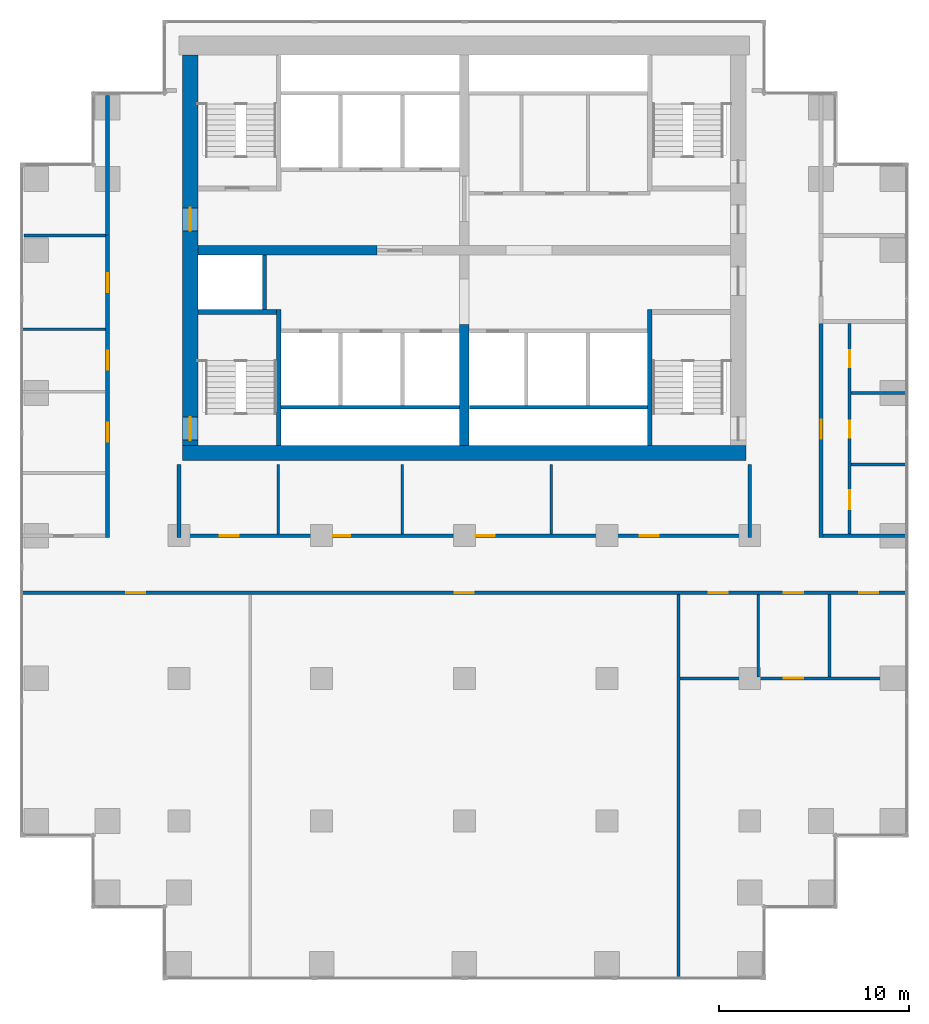
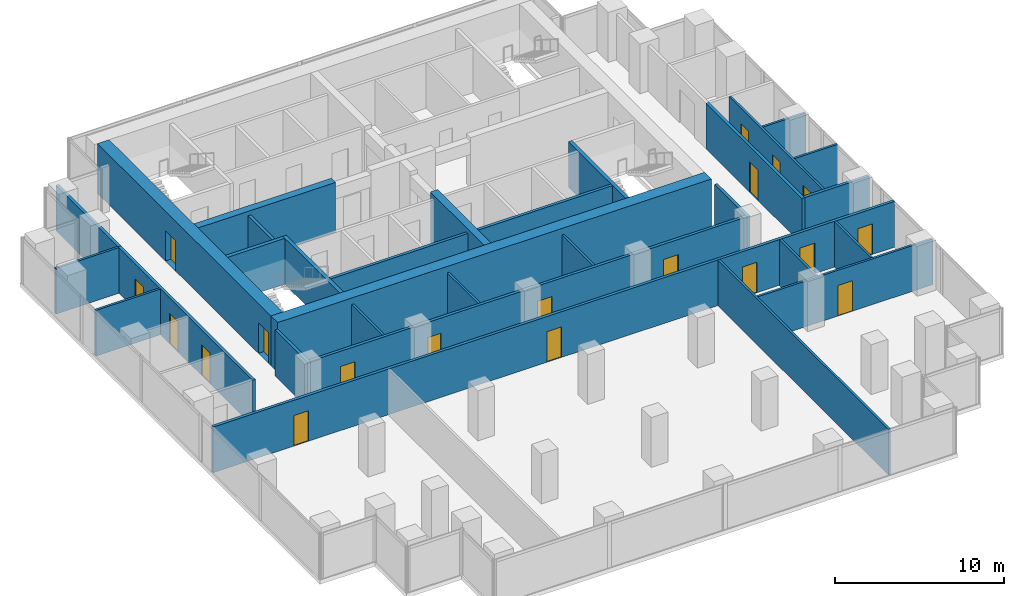
# One storey, part 7 of 10: 30 walls, 19 doors, 19 openings.
"""IFC4 building model written with IfcOpenShell, lengths in metres."""

from ifc_helpers import new_model, si_unit, direction, frame, frame_2d, origin, place, context, subcontext, project, spatial, rectangle, extrude, material, layer, layer_set, type_object, element, fill, save


model = new_model("IFC4")

# Units and contexts
model_context = context("Model", 3, precision=1e-05, world=origin(), true_north=direction((0.0, 1.0)))
body_context = subcontext(model_context, "Body", "Model", "MODEL_VIEW")
ifc_project = project(units=[si_unit("LENGTHUNIT", "METRE"), si_unit("AREAUNIT", "SQUARE_METRE"), si_unit("VOLUMEUNIT", "CUBIC_METRE"), si_unit("PLANEANGLEUNIT", "RADIAN"), si_unit("MASSUNIT", "GRAM", prefix="KILO")], contexts=[model_context])

# Site, building, storey
site_placement = place(None, origin())
site = spatial("IfcSite", under=ifc_project, at=site_placement, CompositionType="ELEMENT")
building_placement = place(site_placement, origin())
building = spatial("IfcBuilding", under=site, at=building_placement, Name="Pilkhan Gate Tower", CompositionType="ELEMENT")
storey_placement = place(building_placement, frame((0.0, 0.0, 114.39990234375)))
storey = spatial("IfcBuildingStorey", under=building, at=storey_placement, Name="L28", CompositionType="ELEMENT", Elevation=114.39990234375)

# Wall
ifc_material_1 = material(Name="Concrete C60/75", Category="concrete")
ifc_layer_1 = layer(ifc_material_1, 0.800048828125)
ifc_layer_set_1 = layer_set([ifc_layer_1], Name="Core wall CW800 C60/75")
wall_type_1 = type_object("IfcWallType", Name="Core wall CW800 C60/75", PredefinedType="SHEAR", material=ifc_layer_set_1)
wall_1_placement = place(storey_placement, frame((60.199951171875, 71.85009765625, 0.0), z_axis=(0.0, 0.0, 1.0), x_axis=(1.0, 0.0, 0.0)))
element("IfcWall", 1, at=wall_1_placement, inside=storey, type_object=wall_type_1, Name="Core wall S L28", PredefinedType="SHEAR", context=body_context, shape_type="SweptSolid", body=[
    extrude(rectangle(XDim=29.60009765625, YDim=0.800048828125, at=frame_2d((14.800048828125, 0.0))), origin(), (0.0, 0.0, 1.0), 3.60009765625),
])

# Wall, openings, doors
wall_2_placement = place(storey_placement, frame((60.60009765625, 92.75, 0.0), z_axis=(0.0, 0.0, 1.0), x_axis=(0.0, -1.0, 0.0)))
wall_2 = element("IfcWall", 2, at=wall_2_placement, inside=storey, type_object=wall_type_1, Name="Core wall W L28", PredefinedType="SHEAR", context=body_context, shape_type="SweptSolid", body=[
    extrude(rectangle(XDim=20.5, YDim=0.800048828125, at=frame_2d((10.25, 0.0))), origin(), (0.0, 0.0, 1.0), 3.60009765625),
])
opening_1_placement = place(wall_2_placement, frame((19.02490234375, 0.0, 0.0)))
opening_1 = element("IfcOpeningElement", 3, at=opening_1_placement, cuts=wall_2, Name="Opening L28-04", PredefinedType="OPENING", context=body_context, shape_type="SweptSolid", body=[
    extrude(rectangle(XDim=1.199951171875, YDim=2.199951171875, at=frame_2d((0.60009765625, 1.10009765625))), frame((0.0, 0.409912109375, 0.0), z_axis=(0.0, -1.0, 0.0), x_axis=(1.0, 0.0, 0.0)), (0.0, 0.0, 1.0), 0.820068359375),
])
opening_2_placement = place(wall_2_placement, frame((8.02490234375, 0.0, 0.0)))
opening_2 = element("IfcOpeningElement", 4, at=opening_2_placement, cuts=wall_2, Name="Opening L28-09", PredefinedType="OPENING", context=body_context, shape_type="SweptSolid", body=[
    extrude(rectangle(XDim=1.199951171875, YDim=2.199951171875, at=frame_2d((0.60009765625, 1.10009765625))), frame((0.0, 0.409912109375, 0.0), z_axis=(0.0, -1.0, 0.0), x_axis=(1.0, 0.0, 0.0)), (0.0, 0.0, 1.0), 0.820068359375),
])
ifc_material_2 = material(Name="Steel door, 120 minute fire resisting, self-closing", Category="steel")
door_type_1 = type_object("IfcDoorType", Name="Firefighting lobby door D10 1200x2200", OperationType="SINGLE_SWING_LEFT", PredefinedType="DOOR", material=ifc_material_2)
door_1_placement = place(opening_2_placement, origin())
door_1 = element("IfcDoor", 5, at=door_1_placement, inside=storey, type_object=door_type_1, Name="Core door", OperationType="SINGLE_SWING_RIGHT", OverallHeight=2.199951171875, OverallWidth=1.199951171875, PredefinedType="DOOR", context=body_context, shape_type="SweptSolid", body=[
    extrude(rectangle(XDim=1.199951171875, YDim=2.199951171875, at=frame_2d((0.60009765625, 1.10009765625))), frame((0.0, 0.02490234375, 0.0), z_axis=(0.0, -1.0, 0.0), x_axis=(1.0, 0.0, 0.0)), (0.0, 0.0, 1.0), 0.050048828125),
])
fill(opening_2, door_1)
ifc_material_3 = material(Name="Steel door, 120 minute fire resisting, panic bar", Category="steel")
door_type_2 = type_object("IfcDoorType", Name="Stair door D11 1200x2200", OperationType="SINGLE_SWING_LEFT", PredefinedType="DOOR", material=ifc_material_3)
door_2_placement = place(opening_1_placement, origin())
door_2 = element("IfcDoor", 6, at=door_2_placement, inside=storey, type_object=door_type_2, Name="Stair ST2 door", OperationType="SINGLE_SWING_LEFT", OverallHeight=2.199951171875, OverallWidth=1.199951171875, PredefinedType="DOOR", context=body_context, shape_type="SweptSolid", body=[
    extrude(rectangle(XDim=1.199951171875, YDim=2.199951171875, at=frame_2d((0.60009765625, 1.10009765625))), frame((0.0, 0.02490234375, 0.0), z_axis=(0.0, -1.0, 0.0), x_axis=(1.0, 0.0, 0.0)), (0.0, 0.0, 1.0), 0.050048828125),
])
fill(opening_1, door_2)

ifc_material_4 = material(Name="Dense blockwork", Category="masonry")
ifc_layer_2 = layer(ifc_material_4, 0.199951171875)
ifc_layer_set_2 = layer_set([ifc_layer_2], Name="Corridor wall FW200")
wall_type_2 = type_object("IfcWallType", Name="Corridor wall FW200", PredefinedType="PARTITIONING", material=ifc_layer_set_2)
wall_3_placement = place(storey_placement, frame((51.735107421875, 64.5, 0.0), z_axis=(0.0, 0.0, 1.0), x_axis=(1.0, 0.0, 0.0)))
wall_3 = element("IfcWall", 7, at=wall_3_placement, inside=storey, type_object=wall_type_2, Name="Partition L28", PredefinedType="PARTITIONING", context=body_context, shape_type="SweptSolid", body=[
    extrude(rectangle(XDim=46.52978515625, YDim=0.199951171875, at=frame_2d((23.264892578125, 0.0))), origin(), (0.0, 0.0, 1.0), 3.300048828125),
])
opening_3_placement = place(wall_3_placement, frame((40.06494140625, 0.0, 0.0)))
opening_3 = element("IfcOpeningElement", 8, at=opening_3_placement, cuts=wall_3, Name="Opening L28-06", PredefinedType="OPENING", context=body_context, shape_type="SweptSolid", body=[
    extrude(rectangle(XDim=1.0, YDim=2.199951171875, at=frame_2d((0.5, 1.10009765625))), frame((0.0, 0.10986328125, 0.0), z_axis=(0.0, -1.0, 0.0), x_axis=(1.0, 0.0, 0.0)), (0.0, 0.0, 1.0), 0.219970703125),
])
opening_4_placement = place(wall_3_placement, frame((5.5, 0.0, 0.0)))
opening_4 = element("IfcOpeningElement", 9, at=opening_4_placement, cuts=wall_3, Name="Opening L28-14", PredefinedType="OPENING", context=body_context, shape_type="SweptSolid", body=[
    extrude(rectangle(XDim=1.0, YDim=2.199951171875, at=frame_2d((0.5, 1.10009765625))), frame((0.0, 0.10986328125, 0.0), z_axis=(0.0, -1.0, 0.0), x_axis=(1.0, 0.0, 0.0)), (0.0, 0.0, 1.0), 0.219970703125),
])
opening_5_placement = place(wall_3_placement, frame((22.764892578125, 0.0, 0.0)))
opening_5 = element("IfcOpeningElement", 10, at=opening_5_placement, cuts=wall_3, Name="Opening L28-15", PredefinedType="OPENING", context=body_context, shape_type="SweptSolid", body=[
    extrude(rectangle(XDim=1.0, YDim=2.199951171875, at=frame_2d((0.5, 1.10009765625))), frame((0.0, 0.10986328125, 0.0), z_axis=(0.0, -1.0, 0.0), x_axis=(1.0, 0.0, 0.0)), (0.0, 0.0, 1.0), 0.219970703125),
])
opening_6_placement = place(wall_3_placement, frame((36.114990234375, 0.0, 0.0)))
opening_6 = element("IfcOpeningElement", 11, at=opening_6_placement, cuts=wall_3, Name="Opening L28-16", PredefinedType="OPENING", context=body_context, shape_type="SweptSolid", body=[
    extrude(rectangle(XDim=1.0, YDim=2.199951171875, at=frame_2d((0.5, 1.10009765625))), frame((0.0, 0.10986328125, 0.0), z_axis=(0.0, -1.0, 0.0), x_axis=(1.0, 0.0, 0.0)), (0.0, 0.0, 1.0), 0.219970703125),
])
opening_7_placement = place(wall_3_placement, frame((44.014892578125, 0.0, 0.0)))
opening_7 = element("IfcOpeningElement", 12, at=opening_7_placement, cuts=wall_3, Name="Opening L28-17", PredefinedType="OPENING", context=body_context, shape_type="SweptSolid", body=[
    extrude(rectangle(XDim=1.0, YDim=2.199951171875, at=frame_2d((0.5, 1.10009765625))), frame((0.0, 0.10986328125, 0.0), z_axis=(0.0, -1.0, 0.0), x_axis=(1.0, 0.0, 0.0)), (0.0, 0.0, 1.0), 0.219970703125),
])
ifc_material_5 = material(Name="Timber flush door, 30 minute fire resisting", Category="wood")
door_type_3 = type_object("IfcDoorType", Name="Room door D03 1000x2200", OperationType="SINGLE_SWING_LEFT", PredefinedType="DOOR", material=ifc_material_5)
door_3_placement = place(opening_3_placement, origin())
door_3 = element("IfcDoor", 13, at=door_3_placement, inside=storey, type_object=door_type_3, Name="Room door", OperationType="SINGLE_SWING_LEFT", OverallHeight=2.199951171875, OverallWidth=1.0, PredefinedType="DOOR", context=body_context, shape_type="SweptSolid", body=[
    extrude(rectangle(XDim=1.0, YDim=2.199951171875, at=frame_2d((0.5, 1.10009765625))), frame((0.0, 0.02490234375, 0.0), z_axis=(0.0, -1.0, 0.0), x_axis=(1.0, 0.0, 0.0)), (0.0, 0.0, 1.0), 0.050048828125),
])
fill(opening_3, door_3)
door_4_placement = place(opening_4_placement, origin())
door_4 = element("IfcDoor", 14, at=door_4_placement, inside=storey, type_object=door_type_3, Name="Room door", OperationType="SINGLE_SWING_LEFT", OverallHeight=2.199951171875, OverallWidth=1.0, PredefinedType="DOOR", context=body_context, shape_type="SweptSolid", body=[
    extrude(rectangle(XDim=1.0, YDim=2.199951171875, at=frame_2d((0.5, 1.10009765625))), frame((0.0, 0.02490234375, 0.0), z_axis=(0.0, -1.0, 0.0), x_axis=(1.0, 0.0, 0.0)), (0.0, 0.0, 1.0), 0.050048828125),
])
fill(opening_4, door_4)
door_5_placement = place(opening_5_placement, origin())
door_5 = element("IfcDoor", 15, at=door_5_placement, inside=storey, type_object=door_type_3, Name="Room door", OperationType="SINGLE_SWING_LEFT", OverallHeight=2.199951171875, OverallWidth=1.0, PredefinedType="DOOR", context=body_context, shape_type="SweptSolid", body=[
    extrude(rectangle(XDim=1.0, YDim=2.199951171875, at=frame_2d((0.5, 1.10009765625))), frame((0.0, 0.02490234375, 0.0), z_axis=(0.0, -1.0, 0.0), x_axis=(1.0, 0.0, 0.0)), (0.0, 0.0, 1.0), 0.050048828125),
])
fill(opening_5, door_5)
door_6_placement = place(opening_6_placement, origin())
door_6 = element("IfcDoor", 16, at=door_6_placement, inside=storey, type_object=door_type_3, Name="Room door", OperationType="SINGLE_SWING_RIGHT", OverallHeight=2.199951171875, OverallWidth=1.0, PredefinedType="DOOR", context=body_context, shape_type="SweptSolid", body=[
    extrude(rectangle(XDim=1.0, YDim=2.199951171875, at=frame_2d((0.5, 1.10009765625))), frame((0.0, 0.02490234375, 0.0), z_axis=(0.0, -1.0, 0.0), x_axis=(1.0, 0.0, 0.0)), (0.0, 0.0, 1.0), 0.050048828125),
])
fill(opening_6, door_6)
door_7_placement = place(opening_7_placement, origin())
door_7 = element("IfcDoor", 17, at=door_7_placement, inside=storey, type_object=door_type_3, Name="Room door", OperationType="SINGLE_SWING_RIGHT", OverallHeight=2.199951171875, OverallWidth=1.0, PredefinedType="DOOR", context=body_context, shape_type="SweptSolid", body=[
    extrude(rectangle(XDim=1.0, YDim=2.199951171875, at=frame_2d((0.5, 1.10009765625))), frame((0.0, 0.02490234375, 0.0), z_axis=(0.0, -1.0, 0.0), x_axis=(1.0, 0.0, 0.0)), (0.0, 0.0, 1.0), 0.050048828125),
])
fill(opening_7, door_7)

wall_4_placement = place(storey_placement, frame((60.10009765625, 67.5, 0.0), z_axis=(0.0, 0.0, 1.0), x_axis=(1.0, 0.0, 0.0)))
wall_4 = element("IfcWall", 18, at=wall_4_placement, inside=storey, type_object=wall_type_2, Name="Partition L28", PredefinedType="PARTITIONING", context=body_context, shape_type="SweptSolid", body=[
    extrude(rectangle(XDim=29.7998046875, YDim=0.199951171875, at=frame_2d((14.89990234375, 0.0))), origin(), (0.0, 0.0, 1.0), 3.300048828125),
])
opening_8_placement = place(wall_4_placement, frame((2.050048828125, 0.0, 0.0)))
opening_8 = element("IfcOpeningElement", 19, at=opening_8_placement, cuts=wall_4, Name="Opening L28-27", PredefinedType="OPENING", context=body_context, shape_type="SweptSolid", body=[
    extrude(rectangle(XDim=1.0, YDim=2.199951171875, at=frame_2d((0.5, 1.10009765625))), frame((0.0, 0.10986328125, 0.0), z_axis=(0.0, -1.0, 0.0), x_axis=(1.0, 0.0, 0.0)), (0.0, 0.0, 1.0), 0.219970703125),
])
opening_9_placement = place(wall_4_placement, frame((8.01708984375, 0.0, 0.0)))
opening_9 = element("IfcOpeningElement", 20, at=opening_9_placement, cuts=wall_4, Name="Opening L28-28", PredefinedType="OPENING", context=body_context, shape_type="SweptSolid", body=[
    extrude(rectangle(XDim=0.89990234375, YDim=2.199951171875, at=frame_2d((0.449951171875, 1.10009765625))), frame((0.0, 0.10986328125, 0.0), z_axis=(0.0, -1.0, 0.0), x_axis=(1.0, 0.0, 0.0)), (0.0, 0.0, 1.0), 0.219970703125),
])
opening_10_placement = place(wall_4_placement, frame((15.489013671875, 0.0, 0.0)))
opening_10 = element("IfcOpeningElement", 21, at=opening_10_placement, cuts=wall_4, Name="Opening L28-29", PredefinedType="OPENING", context=body_context, shape_type="SweptSolid", body=[
    extrude(rectangle(XDim=1.0, YDim=2.199951171875, at=frame_2d((0.5, 1.10009765625))), frame((0.0, 0.10986328125, 0.0), z_axis=(0.0, -1.0, 0.0), x_axis=(1.0, 0.0, 0.0)), (0.0, 0.0, 1.0), 0.219970703125),
])
opening_11_placement = place(wall_4_placement, frame((24.114990234375, 0.0, 0.0)))
opening_11 = element("IfcOpeningElement", 22, at=opening_11_placement, cuts=wall_4, Name="Opening L28-30", PredefinedType="OPENING", context=body_context, shape_type="SweptSolid", body=[
    extrude(rectangle(XDim=1.0, YDim=2.199951171875, at=frame_2d((0.5, 1.10009765625))), frame((0.0, 0.10986328125, 0.0), z_axis=(0.0, -1.0, 0.0), x_axis=(1.0, 0.0, 0.0)), (0.0, 0.0, 1.0), 0.219970703125),
])
door_8_placement = place(opening_8_placement, origin())
door_8 = element("IfcDoor", 23, at=door_8_placement, inside=storey, type_object=door_type_3, Name="Room door", OperationType="SINGLE_SWING_LEFT", OverallHeight=2.199951171875, OverallWidth=1.0, PredefinedType="DOOR", context=body_context, shape_type="SweptSolid", body=[
    extrude(rectangle(XDim=1.0, YDim=2.199951171875, at=frame_2d((0.5, 1.10009765625))), frame((0.0, 0.02490234375, 0.0), z_axis=(0.0, -1.0, 0.0), x_axis=(1.0, 0.0, 0.0)), (0.0, 0.0, 1.0), 0.050048828125),
])
fill(opening_8, door_8)
door_9_placement = place(opening_10_placement, origin())
door_9 = element("IfcDoor", 24, at=door_9_placement, inside=storey, type_object=door_type_3, Name="Room door", OperationType="SINGLE_SWING_LEFT", OverallHeight=2.199951171875, OverallWidth=1.0, PredefinedType="DOOR", context=body_context, shape_type="SweptSolid", body=[
    extrude(rectangle(XDim=1.0, YDim=2.199951171875, at=frame_2d((0.5, 1.10009765625))), frame((0.0, 0.02490234375, 0.0), z_axis=(0.0, -1.0, 0.0), x_axis=(1.0, 0.0, 0.0)), (0.0, 0.0, 1.0), 0.050048828125),
])
fill(opening_10, door_9)
door_10_placement = place(opening_11_placement, origin())
door_10 = element("IfcDoor", 25, at=door_10_placement, inside=storey, type_object=door_type_3, Name="Room door", OperationType="SINGLE_SWING_LEFT", OverallHeight=2.199951171875, OverallWidth=1.0, PredefinedType="DOOR", context=body_context, shape_type="SweptSolid", body=[
    extrude(rectangle(XDim=1.0, YDim=2.199951171875, at=frame_2d((0.5, 1.10009765625))), frame((0.0, 0.02490234375, 0.0), z_axis=(0.0, -1.0, 0.0), x_axis=(1.0, 0.0, 0.0)), (0.0, 0.0, 1.0), 0.050048828125),
])
fill(opening_11, door_10)
ifc_material_6 = material(Name="Timber flush door, 60 minute fire resisting, self-closing", Category="wood")
door_type_4 = type_object("IfcDoorType", Name="Store door D05 900x2200", OperationType="SINGLE_SWING_LEFT", PredefinedType="DOOR", material=ifc_material_6)
door_11_placement = place(opening_9_placement, origin())
door_11 = element("IfcDoor", 26, at=door_11_placement, inside=storey, type_object=door_type_4, Name="Store door", OperationType="SINGLE_SWING_RIGHT", OverallHeight=2.199951171875, OverallWidth=0.89990234375, PredefinedType="DOOR", context=body_context, shape_type="SweptSolid", body=[
    extrude(rectangle(XDim=0.89990234375, YDim=2.199951171875, at=frame_2d((0.449951171875, 1.10009765625))), frame((0.0, 0.02490234375, 0.0), z_axis=(0.0, -1.0, 0.0), x_axis=(1.0, 0.0, 0.0)), (0.0, 0.0, 1.0), 0.050048828125),
])
fill(opening_9, door_11)

# Wall
wall_5_placement = place(storey_placement, frame((93.85009765625, 67.5, 0.0), z_axis=(0.0, 0.0, 1.0), x_axis=(1.0, 0.0, 0.0)))
element("IfcWall", 27, at=wall_5_placement, inside=storey, type_object=wall_type_2, Name="Partition L28", PredefinedType="PARTITIONING", context=body_context, shape_type="SweptSolid", body=[
    extrude(rectangle(XDim=4.414794921875, YDim=0.199951171875, at=frame_2d((2.20751953125, 0.0))), origin(), (0.0, 0.0, 1.0), 3.300048828125),
])

# Wall, openings, doors
wall_6_placement = place(storey_placement, frame((56.25, 67.39990234375, 0.0), z_axis=(0.0, 0.0, 1.0), x_axis=(0.0, 1.0, 0.0)))
wall_6 = element("IfcWall", 28, at=wall_6_placement, inside=storey, type_object=wall_type_2, Name="Partition L28", PredefinedType="PARTITIONING", context=body_context, shape_type="SweptSolid", body=[
    extrude(rectangle(XDim=15.955078125, YDim=0.199951171875, at=frame_2d((7.9775390625, 0.0))), origin(), (0.0, 0.0, 1.0), 3.300048828125),
])
opening_12_placement = place(wall_6_placement, frame((5.0380859375, 0.0, 0.0)))
opening_12 = element("IfcOpeningElement", 29, at=opening_12_placement, cuts=wall_6, Name="Opening L28-20", PredefinedType="OPENING", context=body_context, shape_type="SweptSolid", body=[
    extrude(rectangle(XDim=1.0, YDim=2.199951171875, at=frame_2d((0.5, 1.10009765625))), frame((0.0, 0.10986328125, 0.0), z_axis=(0.0, -1.0, 0.0), x_axis=(1.0, 0.0, 0.0)), (0.0, 0.0, 1.0), 0.219970703125),
])
opening_13_placement = place(wall_6_placement, frame((8.81103515625, 0.0, 0.0)))
opening_13 = element("IfcOpeningElement", 30, at=opening_13_placement, cuts=wall_6, Name="Opening L28-21", PredefinedType="OPENING", context=body_context, shape_type="SweptSolid", body=[
    extrude(rectangle(XDim=1.0, YDim=2.199951171875, at=frame_2d((0.5, 1.10009765625))), frame((0.0, 0.10986328125, 0.0), z_axis=(0.0, -1.0, 0.0), x_axis=(1.0, 0.0, 0.0)), (0.0, 0.0, 1.0), 0.219970703125),
])
opening_14_placement = place(wall_6_placement, frame((12.89892578125, 0.0, 0.0)))
opening_14 = element("IfcOpeningElement", 31, at=opening_14_placement, cuts=wall_6, Name="Opening L28-22", PredefinedType="OPENING", context=body_context, shape_type="SweptSolid", body=[
    extrude(rectangle(XDim=1.0, YDim=2.199951171875, at=frame_2d((0.5, 1.10009765625))), frame((0.0, 0.10986328125, 0.0), z_axis=(0.0, -1.0, 0.0), x_axis=(1.0, 0.0, 0.0)), (0.0, 0.0, 1.0), 0.219970703125),
])
door_12_placement = place(opening_12_placement, origin())
door_12 = element("IfcDoor", 32, at=door_12_placement, inside=storey, type_object=door_type_3, Name="Room door", OperationType="SINGLE_SWING_LEFT", OverallHeight=2.199951171875, OverallWidth=1.0, PredefinedType="DOOR", context=body_context, shape_type="SweptSolid", body=[
    extrude(rectangle(XDim=1.0, YDim=2.199951171875, at=frame_2d((0.5, 1.10009765625))), frame((0.0, 0.02490234375, 0.0), z_axis=(0.0, -1.0, 0.0), x_axis=(1.0, 0.0, 0.0)), (0.0, 0.0, 1.0), 0.050048828125),
])
fill(opening_12, door_12)
door_13_placement = place(opening_13_placement, origin())
door_13 = element("IfcDoor", 33, at=door_13_placement, inside=storey, type_object=door_type_3, Name="Room door", OperationType="SINGLE_SWING_RIGHT", OverallHeight=2.199951171875, OverallWidth=1.0, PredefinedType="DOOR", context=body_context, shape_type="SweptSolid", body=[
    extrude(rectangle(XDim=1.0, YDim=2.199951171875, at=frame_2d((0.5, 1.10009765625))), frame((0.0, 0.02490234375, 0.0), z_axis=(0.0, -1.0, 0.0), x_axis=(1.0, 0.0, 0.0)), (0.0, 0.0, 1.0), 0.050048828125),
])
fill(opening_13, door_13)
door_14_placement = place(opening_14_placement, origin())
door_14 = element("IfcDoor", 34, at=door_14_placement, inside=storey, type_object=door_type_3, Name="Room door", OperationType="SINGLE_SWING_RIGHT", OverallHeight=2.199951171875, OverallWidth=1.0, PredefinedType="DOOR", context=body_context, shape_type="SweptSolid", body=[
    extrude(rectangle(XDim=1.0, YDim=2.199951171875, at=frame_2d((0.5, 1.10009765625))), frame((0.0, 0.02490234375, 0.0), z_axis=(0.0, -1.0, 0.0), x_axis=(1.0, 0.0, 0.0)), (0.0, 0.0, 1.0), 0.050048828125),
])
fill(opening_14, door_14)

# Walls
wall_7_placement = place(storey_placement, frame((56.25, 83.31005859375, 0.0), z_axis=(0.0, 0.0, 1.0), x_axis=(0.0, 1.0, 0.0)))
element("IfcWall", 35, at=wall_7_placement, inside=storey, type_object=wall_type_2, Name="Partition L28", PredefinedType="PARTITIONING", context=body_context, shape_type="SweptSolid", body=[
    extrude(rectangle(XDim=7.3349609375, YDim=0.199951171875, at=frame_2d((3.66748046875, 0.0))), origin(), (0.0, 0.0, 1.0), 3.300048828125),
])
for number, where, z_axis, x_axis, name in (
    (36, (60.0, 67.39990234375, 0.0), (0.0, 0.0, 1.0), (0.0, 1.0, 0.0), "Partition L28"),
    (37, (90.0, 67.39990234375, 0.0), (0.0, 0.0, 1.0), (0.0, 1.0, 0.0), "Partition L28"),
):
    element("IfcWall", number, at=place(storey_placement, frame(where, z_axis=z_axis, x_axis=x_axis)), inside=storey, type_object=wall_type_2, Name=name, PredefinedType="PARTITIONING", context=body_context, shape_type="SweptSolid", body=[
        extrude(rectangle(XDim=3.85009765625, YDim=0.199951171875, at=frame_2d((1.925048828125, 0.0))), origin(), (0.0, 0.0, 1.0), 3.300048828125),
    ])

# Wall, opening, door
wall_8_placement = place(storey_placement, frame((93.75, 67.39990234375, 0.0), z_axis=(0.0, 0.0, 1.0), x_axis=(0.0, 1.0, 0.0)))
wall_8 = element("IfcWall", 38, at=wall_8_placement, inside=storey, type_object=wall_type_2, Name="Partition L28", PredefinedType="PARTITIONING", context=body_context, shape_type="SweptSolid", body=[
    extrude(rectangle(XDim=11.35009765625, YDim=0.199951171875, at=frame_2d((5.675048828125, 0.0))), origin(), (0.0, 0.0, 1.0), 3.300048828125),
])
opening_15_placement = place(wall_8_placement, frame((5.199951171875, 0.0, 0.0)))
opening_15 = element("IfcOpeningElement", 39, at=opening_15_placement, cuts=wall_8, Name="Opening L28-07", PredefinedType="OPENING", context=body_context, shape_type="SweptSolid", body=[
    extrude(rectangle(XDim=1.0, YDim=2.199951171875, at=frame_2d((0.5, 1.10009765625))), frame((0.0, 0.10986328125, 0.0), z_axis=(0.0, -1.0, 0.0), x_axis=(1.0, 0.0, 0.0)), (0.0, 0.0, 1.0), 0.219970703125),
])
door_15_placement = place(opening_15_placement, origin())
door_15 = element("IfcDoor", 40, at=door_15_placement, inside=storey, type_object=door_type_3, Name="Toilet lobby door", OperationType="SINGLE_SWING_LEFT", OverallHeight=2.199951171875, OverallWidth=1.0, PredefinedType="DOOR", context=body_context, shape_type="SweptSolid", body=[
    extrude(rectangle(XDim=1.0, YDim=2.199951171875, at=frame_2d((0.5, 1.10009765625))), frame((0.0, 0.02490234375, 0.0), z_axis=(0.0, -1.0, 0.0), x_axis=(1.0, 0.0, 0.0)), (0.0, 0.0, 1.0), 0.050048828125),
])
fill(opening_15, door_15)

ifc_material_7 = material(Name="Blockwork partition, plastered both sides", Category="masonry")
ifc_layer_3 = layer(ifc_material_7, 0.14990234375)
ifc_layer_set_3 = layer_set([ifc_layer_3], Name="Partition PW150")
wall_type_3 = type_object("IfcWallType", Name="Partition PW150", PredefinedType="PARTITIONING", material=ifc_layer_set_3)
wall_9_placement = place(storey_placement, frame((86.324951171875, 60.0, 0.0), z_axis=(0.0, 0.0, 1.0), x_axis=(1.0, 0.0, 0.0)))
wall_9 = element("IfcWall", 41, at=wall_9_placement, inside=storey, type_object=wall_type_3, Name="Partition L28", PredefinedType="PARTITIONING", context=body_context, shape_type="SweptSolid", body=[
    extrude(rectangle(XDim=11.93994140625, YDim=0.14990234375, at=frame_2d((5.969970703125, 0.0))), origin(), (0.0, 0.0, 1.0), 3.300048828125),
])
opening_16_placement = place(wall_9_placement, frame((5.47509765625, 0.0, 0.0)))
opening_16 = element("IfcOpeningElement", 42, at=opening_16_placement, cuts=wall_9, Name="Opening L28-18", PredefinedType="OPENING", context=body_context, shape_type="SweptSolid", body=[
    extrude(rectangle(XDim=1.0, YDim=2.199951171875, at=frame_2d((0.5, 1.10009765625))), frame((0.0, 0.0849609375, 0.0), z_axis=(0.0, -1.0, 0.0), x_axis=(1.0, 0.0, 0.0)), (0.0, 0.0, 1.0), 0.169921875),
])
door_16_placement = place(opening_16_placement, origin())
door_16 = element("IfcDoor", 43, at=door_16_placement, inside=storey, type_object=door_type_3, Name="Room door", OperationType="SINGLE_SWING_RIGHT", OverallHeight=2.199951171875, OverallWidth=1.0, PredefinedType="DOOR", context=body_context, shape_type="SweptSolid", body=[
    extrude(rectangle(XDim=1.0, YDim=2.199951171875, at=frame_2d((0.5, 1.10009765625))), frame((0.0, 0.02490234375, 0.0), z_axis=(0.0, -1.0, 0.0), x_axis=(1.0, 0.0, 0.0)), (0.0, 0.0, 1.0), 0.050048828125),
])
fill(opening_16, door_16)

# Walls
for number, where, z_axis, x_axis, name in (
    (44, (95.324951171875, 71.25, 0.0), (0.0, 0.0, 1.0), (1.0, 0.0, 0.0), "Partition L28"),
    (45, (95.324951171875, 75.0, 0.0), (0.0, 0.0, 1.0), (1.0, 0.0, 0.0), "Partition L28"),
):
    element("IfcWall", number, at=place(storey_placement, frame(where, z_axis=z_axis, x_axis=x_axis)), inside=storey, type_object=wall_type_3, Name=name, PredefinedType="PARTITIONING", context=body_context, shape_type="SweptSolid", body=[
        extrude(rectangle(XDim=2.93994140625, YDim=0.14990234375, at=frame_2d((1.469970703125, 0.0))), origin(), (0.0, 0.0, 1.0), 3.300048828125),
    ])
wall_10_placement = place(storey_placement, frame((51.735107421875, 78.34912109375, 0.0), z_axis=(0.0, 0.0, 1.0), x_axis=(1.0, 0.0, 0.0)))
element("IfcWall", 46, at=wall_10_placement, inside=storey, type_object=wall_type_3, Name="Partition L28", PredefinedType="PARTITIONING", context=body_context, shape_type="SweptSolid", body=[
    extrude(rectangle(XDim=4.414794921875, YDim=0.14990234375, at=frame_2d((2.20751953125, 0.0))), origin(), (0.0, 0.0, 1.0), 3.300048828125),
])
wall_11_placement = place(storey_placement, frame((51.85498046875, 83.280029296875, 0.0), z_axis=(0.0, 0.0, 1.0), x_axis=(1.0, 0.0, 0.0)))
element("IfcWall", 47, at=wall_11_placement, inside=storey, type_object=wall_type_3, Name="Partition L28", PredefinedType="PARTITIONING", context=body_context, shape_type="SweptSolid", body=[
    extrude(rectangle(XDim=4.294921875, YDim=0.14990234375, at=frame_2d((2.1474609375, 0.0))), origin(), (0.0, 0.0, 1.0), 3.300048828125),
])
for number, where, z_axis, x_axis, name in (
    (48, (65.217041015625, 67.60009765625, 0.0), (0.0, 0.0, 1.0), (0.0, 1.0, 0.0), "Partition L28"),
    (49, (71.739013671875, 67.60009765625, 0.0), (0.0, 0.0, 1.0), (0.0, 1.0, 0.0), "Partition L28"),
    (50, (79.56494140625, 67.60009765625, 0.0), (0.0, 0.0, 1.0), (0.0, 1.0, 0.0), "Partition L28"),
):
    element("IfcWall", number, at=place(storey_placement, frame(where, z_axis=z_axis, x_axis=x_axis)), inside=storey, type_object=wall_type_3, Name=name, PredefinedType="PARTITIONING", context=body_context, shape_type="SweptSolid", body=[
        extrude(rectangle(XDim=3.64990234375, YDim=0.14990234375, at=frame_2d((1.824951171875, 0.0))), origin(), (0.0, 0.0, 1.0), 3.300048828125),
    ])
wall_12_placement = place(storey_placement, frame((86.25, 44.235107421875, 0.0), z_axis=(0.0, 0.0, 1.0), x_axis=(0.0, 1.0, 0.0)))
element("IfcWall", 51, at=wall_12_placement, inside=storey, type_object=wall_type_3, Name="Partition L28", PredefinedType="PARTITIONING", context=body_context, shape_type="SweptSolid", body=[
    extrude(rectangle(XDim=20.164794921875, YDim=0.14990234375, at=frame_2d((10.08251953125, 0.0))), origin(), (0.0, 0.0, 1.0), 3.300048828125),
])
for number, where, z_axis, x_axis, name in (
    (52, (90.449951171875, 60.074951171875, 0.0), (0.0, 0.0, 1.0), (0.0, 1.0, 0.0), "Partition L28"),
    (53, (94.199951171875, 60.074951171875, 0.0), (0.0, 0.0, 1.0), (0.0, 1.0, 0.0), "Partition L28"),
):
    element("IfcWall", number, at=place(storey_placement, frame(where, z_axis=z_axis, x_axis=x_axis)), inside=storey, type_object=wall_type_3, Name=name, PredefinedType="PARTITIONING", context=body_context, shape_type="SweptSolid", body=[
        extrude(rectangle(XDim=4.324951171875, YDim=0.14990234375, at=frame_2d((2.16259765625, 0.0))), origin(), (0.0, 0.0, 1.0), 3.300048828125),
    ])

# Wall, openings, doors
wall_13_placement = place(storey_placement, frame((95.25, 67.60009765625, 0.0), z_axis=(0.0, 0.0, 1.0), x_axis=(0.0, 1.0, 0.0)))
wall_13 = element("IfcWall", 54, at=wall_13_placement, inside=storey, type_object=wall_type_3, Name="Partition L28", PredefinedType="PARTITIONING", context=body_context, shape_type="SweptSolid", body=[
    extrude(rectangle(XDim=11.0498046875, YDim=0.14990234375, at=frame_2d((5.52490234375, 0.0))), origin(), (0.0, 0.0, 1.0), 3.300048828125),
])
opening_17_placement = place(wall_13_placement, frame((1.300048828125, 0.0, 0.0)))
opening_17 = element("IfcOpeningElement", 55, at=opening_17_placement, cuts=wall_13, Name="Opening L28-23", PredefinedType="OPENING", context=body_context, shape_type="SweptSolid", body=[
    extrude(rectangle(XDim=1.0, YDim=2.199951171875, at=frame_2d((0.5, 1.10009765625))), frame((0.0, 0.0849609375, 0.0), z_axis=(0.0, -1.0, 0.0), x_axis=(1.0, 0.0, 0.0)), (0.0, 0.0, 1.0), 0.169921875),
])
opening_18_placement = place(wall_13_placement, frame((5.050048828125, 0.0, 0.0)))
opening_18 = element("IfcOpeningElement", 56, at=opening_18_placement, cuts=wall_13, Name="Opening L28-24", PredefinedType="OPENING", context=body_context, shape_type="SweptSolid", body=[
    extrude(rectangle(XDim=0.89990234375, YDim=2.199951171875, at=frame_2d((0.449951171875, 1.10009765625))), frame((0.0, 0.0849609375, 0.0), z_axis=(0.0, -1.0, 0.0), x_axis=(1.0, 0.0, 0.0)), (0.0, 0.0, 1.0), 0.169921875),
])
opening_19_placement = place(wall_13_placement, frame((8.75, 0.0, 0.0)))
opening_19 = element("IfcOpeningElement", 57, at=opening_19_placement, cuts=wall_13, Name="Opening L28-25", PredefinedType="OPENING", context=body_context, shape_type="SweptSolid", body=[
    extrude(rectangle(XDim=0.89990234375, YDim=2.199951171875, at=frame_2d((0.449951171875, 1.10009765625))), frame((0.0, 0.0849609375, 0.0), z_axis=(0.0, -1.0, 0.0), x_axis=(1.0, 0.0, 0.0)), (0.0, 0.0, 1.0), 0.169921875),
])
ifc_material_8 = material(Name="Timber flush door, outward opening, 30 minute fire resisting", Category="wood")
door_type_5 = type_object("IfcDoorType", Name="Accessible toilet door D07 1000x2200", OperationType="SINGLE_SWING_LEFT", PredefinedType="DOOR", material=ifc_material_8)
door_17_placement = place(opening_17_placement, origin())
door_17 = element("IfcDoor", 58, at=door_17_placement, inside=storey, type_object=door_type_5, Name="Accessible toilet door", OperationType="SINGLE_SWING_RIGHT", OverallHeight=2.199951171875, OverallWidth=1.0, PredefinedType="DOOR", context=body_context, shape_type="SweptSolid", body=[
    extrude(rectangle(XDim=1.0, YDim=2.199951171875, at=frame_2d((0.5, 1.10009765625))), frame((0.0, 0.02490234375, 0.0), z_axis=(0.0, -1.0, 0.0), x_axis=(1.0, 0.0, 0.0)), (0.0, 0.0, 1.0), 0.050048828125),
])
fill(opening_17, door_17)
door_type_6 = type_object("IfcDoorType", Name="Toilet door D06 900x2200", OperationType="SINGLE_SWING_LEFT", PredefinedType="DOOR", material=ifc_material_5)
door_18_placement = place(opening_18_placement, origin())
door_18 = element("IfcDoor", 59, at=door_18_placement, inside=storey, type_object=door_type_6, Name="Toilet door", OperationType="SINGLE_SWING_LEFT", OverallHeight=2.199951171875, OverallWidth=0.89990234375, PredefinedType="DOOR", context=body_context, shape_type="SweptSolid", body=[
    extrude(rectangle(XDim=0.89990234375, YDim=2.199951171875, at=frame_2d((0.449951171875, 1.10009765625))), frame((0.0, 0.02490234375, 0.0), z_axis=(0.0, -1.0, 0.0), x_axis=(1.0, 0.0, 0.0)), (0.0, 0.0, 1.0), 0.050048828125),
])
fill(opening_18, door_18)
door_19_placement = place(opening_19_placement, origin())
door_19 = element("IfcDoor", 60, at=door_19_placement, inside=storey, type_object=door_type_6, Name="Toilet door", OperationType="SINGLE_SWING_LEFT", OverallHeight=2.199951171875, OverallWidth=0.89990234375, PredefinedType="DOOR", context=body_context, shape_type="SweptSolid", body=[
    extrude(rectangle(XDim=0.89990234375, YDim=2.199951171875, at=frame_2d((0.449951171875, 1.10009765625))), frame((0.0, 0.02490234375, 0.0), z_axis=(0.0, -1.0, 0.0), x_axis=(1.0, 0.0, 0.0)), (0.0, 0.0, 1.0), 0.050048828125),
])
fill(opening_19, door_19)

# Walls
ifc_material_9 = material(Name="Reinforced blockwork shaft wall, 120 minute fire resisting", Category="masonry")
ifc_layer_4 = layer(ifc_material_9, 0.199951171875)
ifc_layer_set_4 = layer_set([ifc_layer_4], Name="Shaft wall SW200")
wall_type_4 = type_object("IfcWallType", Name="Shaft wall SW200", PredefinedType="PARTITIONING", material=ifc_layer_set_4)
for number, where, z_axis, x_axis, name in (
    (61, (65.375, 74.25, 0.0), (0.0, 0.0, 1.0), (1.0, 0.0, 0.0), "Partition L28"),
    (62, (75.260009765625, 74.25, 0.0), (0.0, 0.0, 1.0), (1.0, 0.0, 0.0), "Partition L28"),
):
    element("IfcWall", number, at=place(storey_placement, frame(where, z_axis=z_axis, x_axis=x_axis)), inside=storey, type_object=wall_type_4, Name=name, PredefinedType="PARTITIONING", context=body_context, shape_type="SweptSolid", body=[
        extrude(rectangle(XDim=9.364990234375, YDim=0.199951171875, at=frame_2d((4.6826171875, 0.0))), origin(), (0.0, 0.0, 1.0), 3.300048828125),
    ])
wall_14_placement = place(storey_placement, frame((64.5, 79.375, 0.0), z_axis=(0.0, 0.0, 1.0), x_axis=(0.0, 1.0, 0.0)))
element("IfcWall", 63, at=wall_14_placement, inside=storey, type_object=wall_type_4, Name="Partition L28", PredefinedType="PARTITIONING", context=body_context, shape_type="SweptSolid", body=[
    extrude(rectangle(XDim=2.864990234375, YDim=0.199951171875, at=frame_2d((1.4326171875, 0.0))), origin(), (0.0, 0.0, 1.0), 3.300048828125),
])
ifc_layer_5 = layer(ifc_material_1, 0.5)
ifc_layer_set_5 = layer_set([ifc_layer_5], Name="Spine wall SW500 C60/75")
wall_type_5 = type_object("IfcWallType", Name="Spine wall SW500 C60/75", PredefinedType="SHEAR", material=ifc_layer_set_5)
wall_15_placement = place(storey_placement, frame((61.0, 82.5, 0.0), z_axis=(0.0, 0.0, 1.0), x_axis=(1.0, 0.0, 0.0)))
element("IfcWall", 64, at=wall_15_placement, inside=storey, type_object=wall_type_5, Name="Spine wall SP-EW1 L28", PredefinedType="SHEAR", context=body_context, shape_type="SweptSolid", body=[
    extrude(rectangle(XDim=9.39990234375, YDim=0.5, at=frame_2d((4.699951171875, 0.0))), origin(), (0.0, 0.0, 1.0), 3.60009765625),
])
wall_16_placement = place(storey_placement, frame((75.0, 72.25, 0.0), z_axis=(0.0, 0.0, 1.0), x_axis=(0.0, 1.0, 0.0)))
element("IfcWall", 65, at=wall_16_placement, inside=storey, type_object=wall_type_5, Name="Spine wall SP-NS-S1 L28", PredefinedType="SHEAR", context=body_context, shape_type="SweptSolid", body=[
    extrude(rectangle(XDim=6.35009765625, YDim=0.5, at=frame_2d((3.175048828125, 0.0))), origin(), (0.0, 0.0, 1.0), 3.60009765625),
])
ifc_material_10 = material(Name="Reinforced blockwork, 120 minute fire resisting", Category="masonry")
ifc_layer_6 = layer(ifc_material_10, 0.25)
ifc_layer_set_6 = layer_set([ifc_layer_6], Name="Stair enclosure wall SE250")
wall_type_6 = type_object("IfcWallType", Name="Stair enclosure wall SE250", PredefinedType="PARTITIONING", material=ifc_layer_set_6)
wall_17_placement = place(storey_placement, frame((61.010009765625, 79.25, 0.0), z_axis=(0.0, 0.0, 1.0), x_axis=(1.0, 0.0, 0.0)))
element("IfcWall", 66, at=wall_17_placement, inside=storey, type_object=wall_type_6, Name="Partition L28", PredefinedType="PARTITIONING", context=body_context, shape_type="SweptSolid", body=[
    extrude(rectangle(XDim=4.114990234375, YDim=0.25, at=frame_2d((2.0576171875, 0.0))), origin(), (0.0, 0.0, 1.0), 3.300048828125),
])
for number, where, z_axis, x_axis, name in (
    (67, (65.25, 72.25, 0.0), (0.0, 0.0, 1.0), (0.0, 1.0, 0.0), "Partition L28"),
    (68, (84.75, 72.25, 0.0), (0.0, 0.0, 1.0), (0.0, 1.0, 0.0), "Partition L28"),
):
    element("IfcWall", number, at=place(storey_placement, frame(where, z_axis=z_axis, x_axis=x_axis)), inside=storey, type_object=wall_type_6, Name=name, PredefinedType="PARTITIONING", context=body_context, shape_type="SweptSolid", body=[
        extrude(rectangle(XDim=7.125, YDim=0.25, at=frame_2d((3.5625, 0.0))), origin(), (0.0, 0.0, 1.0), 3.300048828125),
    ])

save(model, "model.ifc")
